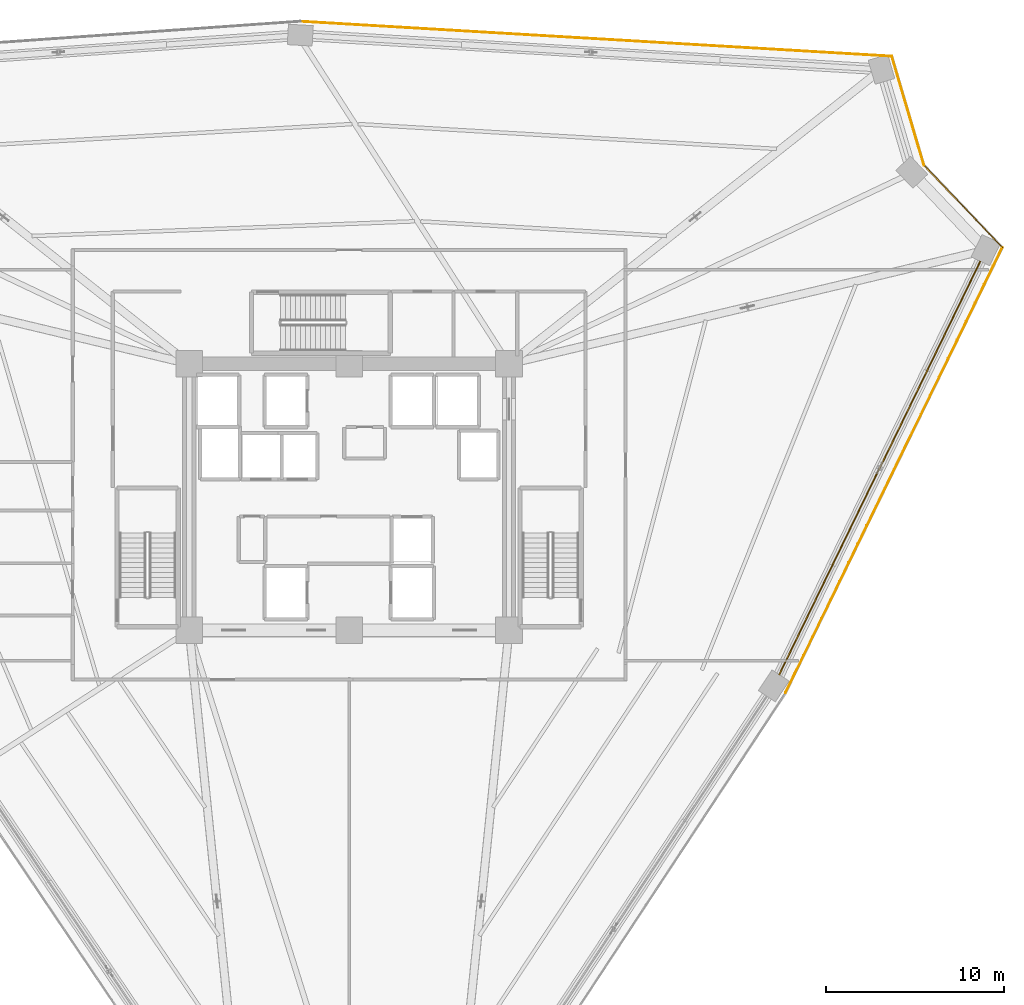
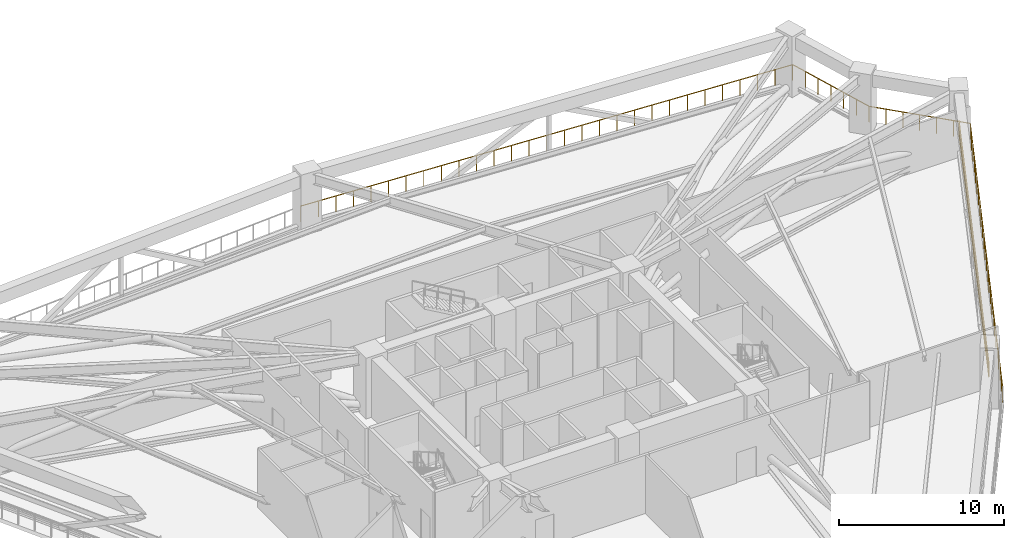
# One storey, part 23 of 23: 4 railings, 2 shading devices.
"""IFC4 building model written with IfcOpenShell, lengths in metres."""

from ifc_helpers import new_model, si_unit, direction, frame, origin, origin_2d, place, context, subcontext, project, spatial, rectangle, extrude, source, transform, mapped, material, material_profile, profile_set, type_object, element, save


model = new_model("IFC4")

# Units and contexts
model_context = context("Model", 3, precision=1e-05, world=origin(), true_north=direction((0.0, 1.0)))
body_context = subcontext(model_context, "Body", "Model", "MODEL_VIEW")
ifc_project = project(units=[si_unit("LENGTHUNIT", "METRE"), si_unit("AREAUNIT", "SQUARE_METRE"), si_unit("VOLUMEUNIT", "CUBIC_METRE"), si_unit("PLANEANGLEUNIT", "RADIAN"), si_unit("MASSUNIT", "GRAM", prefix="KILO")], contexts=[model_context])

# Site, building, storey
site_placement = place(None, origin())
site = spatial("IfcSite", under=ifc_project, at=site_placement, CompositionType="ELEMENT")
building_placement = place(site_placement, origin())
building = spatial("IfcBuilding", under=site, at=building_placement, Name="Liaohun Quay Tower", CompositionType="ELEMENT")
storey_placement = place(building_placement, frame((0.0, 0.0, 139.5)))
storey = spatial("IfcBuildingStorey", under=building, at=storey_placement, Name="L36", CompositionType="ELEMENT", Elevation=139.5)

# Railings
ifc_material_1 = material(Name="Galvanised and powder-coated steel", Category="steel")
railing_type = type_object("IfcRailingType", Name="RLG-GUARD-EXT", PredefinedType="GUARDRAIL", material=ifc_material_1)
railing_1_placement = place(storey_placement, frame((57.2451171875, 80.77587890625, 0.0)))
element("IfcRailing", 1, at=railing_1_placement, inside=storey, type_object=railing_type, Name="L36 Open Refuge Band Perimeter Guardrail 06", PredefinedType="GUARDRAIL", context=body_context, shape_type="SweptSolid", body=[
    extrude(rectangle(XDim=0.048095703125, YDim=0.048095703125, at=origin_2d()), frame((0.0, 0.0, 1.17578125), z_axis=(0.998263757178, -0.058902216471, 0.0), x_axis=(0.058902216471, 0.998263757178, 0.0)), (0.0, 0.0, 1.0), 33.357666015625),
    extrude(rectangle(XDim=0.0419921875, YDim=0.0419921875, at=origin_2d()), origin(), (0.0, 0.0, 1.0), 1.15185546875),
    extrude(rectangle(XDim=0.0419921875, YDim=0.0419921875, at=origin_2d()), frame((1.189208984375, -0.070068359375, 0.0)), (0.0, 0.0, 1.0), 1.15185546875),
    extrude(rectangle(XDim=0.0419921875, YDim=0.0419921875, at=origin_2d()), frame((2.378662109375, -0.140380859375, 0.0)), (0.0, 0.0, 1.0), 1.15185546875),
    extrude(rectangle(XDim=0.0419921875, YDim=0.0419921875, at=origin_2d()), frame((3.56787109375, -0.21044921875, 0.0)), (0.0, 0.0, 1.0), 1.15185546875),
    extrude(rectangle(XDim=0.0419921875, YDim=0.0419921875, at=origin_2d()), frame((4.757080078125, -0.28076171875, 0.0)), (0.0, 0.0, 1.0), 1.15185546875),
    extrude(rectangle(XDim=0.0419921875, YDim=0.0419921875, at=origin_2d()), frame((5.9462890625, -0.350830078125, 0.0)), (0.0, 0.0, 1.0), 1.15185546875),
    extrude(rectangle(XDim=0.0419921875, YDim=0.0419921875, at=origin_2d()), frame((7.1357421875, -0.421142578125, 0.0)), (0.0, 0.0, 1.0), 1.15185546875),
    extrude(rectangle(XDim=0.0419921875, YDim=0.0419921875, at=origin_2d()), frame((8.324951171875, -0.4912109375, 0.0)), (0.0, 0.0, 1.0), 1.15185546875),
    extrude(rectangle(XDim=0.0419921875, YDim=0.0419921875, at=origin_2d()), frame((9.51416015625, -0.561279296875, 0.0)), (0.0, 0.0, 1.0), 1.15185546875),
    extrude(rectangle(XDim=0.0419921875, YDim=0.0419921875, at=origin_2d()), frame((10.70361328125, -0.631591796875, 0.0)), (0.0, 0.0, 1.0), 1.15185546875),
    extrude(rectangle(XDim=0.0419921875, YDim=0.0419921875, at=origin_2d()), frame((11.892822265625, -0.70166015625, 0.0)), (0.0, 0.0, 1.0), 1.15185546875),
    extrude(rectangle(XDim=0.0419921875, YDim=0.0419921875, at=origin_2d()), frame((13.08203125, -0.77197265625, 0.0)), (0.0, 0.0, 1.0), 1.15185546875),
    extrude(rectangle(XDim=0.0419921875, YDim=0.0419921875, at=origin_2d()), frame((14.271240234375, -0.842041015625, 0.0)), (0.0, 0.0, 1.0), 1.15185546875),
    extrude(rectangle(XDim=0.0419921875, YDim=0.0419921875, at=origin_2d()), frame((15.460693359375, -0.912353515625, 0.0)), (0.0, 0.0, 1.0), 1.15185546875),
    extrude(rectangle(XDim=0.0419921875, YDim=0.0419921875, at=origin_2d()), frame((16.64990234375, -0.982421875, 0.0)), (0.0, 0.0, 1.0), 1.15185546875),
    extrude(rectangle(XDim=0.0419921875, YDim=0.0419921875, at=origin_2d()), frame((17.839111328125, -1.052490234375, 0.0)), (0.0, 0.0, 1.0), 1.15185546875),
    extrude(rectangle(XDim=0.0419921875, YDim=0.0419921875, at=origin_2d()), frame((19.028564453125, -1.122802734375, 0.0)), (0.0, 0.0, 1.0), 1.15185546875),
    extrude(rectangle(XDim=0.0419921875, YDim=0.0419921875, at=origin_2d()), frame((20.2177734375, -1.19287109375, 0.0)), (0.0, 0.0, 1.0), 1.15185546875),
    extrude(rectangle(XDim=0.0419921875, YDim=0.0419921875, at=origin_2d()), frame((21.406982421875, -1.26318359375, 0.0)), (0.0, 0.0, 1.0), 1.15185546875),
    extrude(rectangle(XDim=0.0419921875, YDim=0.0419921875, at=origin_2d()), frame((22.59619140625, -1.333251953125, 0.0)), (0.0, 0.0, 1.0), 1.15185546875),
    extrude(rectangle(XDim=0.0419921875, YDim=0.0419921875, at=origin_2d()), frame((23.78564453125, -1.403564453125, 0.0)), (0.0, 0.0, 1.0), 1.15185546875),
    extrude(rectangle(XDim=0.0419921875, YDim=0.0419921875, at=origin_2d()), frame((24.974853515625, -1.4736328125, 0.0)), (0.0, 0.0, 1.0), 1.15185546875),
    extrude(rectangle(XDim=0.0419921875, YDim=0.0419921875, at=origin_2d()), frame((26.1640625, -1.543701171875, 0.0)), (0.0, 0.0, 1.0), 1.15185546875),
    extrude(rectangle(XDim=0.0419921875, YDim=0.0419921875, at=origin_2d()), frame((27.353515625, -1.614013671875, 0.0)), (0.0, 0.0, 1.0), 1.15185546875),
    extrude(rectangle(XDim=0.0419921875, YDim=0.0419921875, at=origin_2d()), frame((28.542724609375, -1.68408203125, 0.0)), (0.0, 0.0, 1.0), 1.15185546875),
    extrude(rectangle(XDim=0.0419921875, YDim=0.0419921875, at=origin_2d()), frame((29.73193359375, -1.75439453125, 0.0)), (0.0, 0.0, 1.0), 1.15185546875),
    extrude(rectangle(XDim=0.0419921875, YDim=0.0419921875, at=origin_2d()), frame((30.921142578125, -1.824462890625, 0.0)), (0.0, 0.0, 1.0), 1.15185546875),
    extrude(rectangle(XDim=0.0419921875, YDim=0.0419921875, at=origin_2d()), frame((32.110595703125, -1.894775390625, 0.0)), (0.0, 0.0, 1.0), 1.15185546875),
    extrude(rectangle(XDim=0.0419921875, YDim=0.0419921875, at=origin_2d()), frame((33.2998046875, -1.96484375, 0.0)), (0.0, 0.0, 1.0), 1.15185546875),
])
railing_2_placement = place(storey_placement, frame((90.544921875, 78.81103515625, 0.0)))
element("IfcRailing", 2, at=railing_2_placement, inside=storey, type_object=railing_type, Name="L36 Open Refuge Band Perimeter Guardrail 07", PredefinedType="GUARDRAIL", context=body_context, shape_type="SweptSolid", body=[
    extrude(rectangle(XDim=0.048095703125, YDim=0.048095703125, at=origin_2d()), frame((0.0, 0.0, 1.17578125), z_axis=(0.282821659742, -0.959172512523, 0.0), x_axis=(0.959172512523, 0.282821659742, 0.0)), (0.0, 0.0, 1.0), 6.39306640625),
    extrude(rectangle(XDim=0.0419921875, YDim=0.0419921875, at=origin_2d()), origin(), (0.0, 0.0, 1.0), 1.15185546875),
    extrude(rectangle(XDim=0.0419921875, YDim=0.0419921875, at=origin_2d()), frame((0.30126953125, -1.02197265625, 0.0)), (0.0, 0.0, 1.0), 1.15185546875),
    extrude(rectangle(XDim=0.0419921875, YDim=0.0419921875, at=origin_2d()), frame((0.602783203125, -2.0439453125, 0.0)), (0.0, 0.0, 1.0), 1.15185546875),
    extrude(rectangle(XDim=0.0419921875, YDim=0.0419921875, at=origin_2d()), frame((0.904052734375, -3.06591796875, 0.0)), (0.0, 0.0, 1.0), 1.15185546875),
    extrude(rectangle(XDim=0.0419921875, YDim=0.0419921875, at=origin_2d()), frame((1.205322265625, -4.088134765625, 0.0)), (0.0, 0.0, 1.0), 1.15185546875),
    extrude(rectangle(XDim=0.0419921875, YDim=0.0419921875, at=origin_2d()), frame((1.5068359375, -5.110107421875, 0.0)), (0.0, 0.0, 1.0), 1.15185546875),
    extrude(rectangle(XDim=0.0419921875, YDim=0.0419921875, at=origin_2d()), frame((1.80810546875, -6.132080078125, 0.0)), (0.0, 0.0, 1.0), 1.15185546875),
])
railing_3_placement = place(storey_placement, frame((92.35302734375, 72.678955078125, 0.0)))
element("IfcRailing", 3, at=railing_3_placement, inside=storey, type_object=railing_type, Name="L36 Open Refuge Band Perimeter Guardrail 08", PredefinedType="GUARDRAIL", context=body_context, shape_type="SweptSolid", body=[
    extrude(rectangle(XDim=0.048095703125, YDim=0.048095703125, at=origin_2d()), frame((0.0, 0.0, 1.17578125), z_axis=(0.689383397678, -0.724396666893, 0.0), x_axis=(0.724396666893, 0.689383397678, 0.0)), (0.0, 0.0, 1.0), 6.39404296875),
    extrude(rectangle(XDim=0.0419921875, YDim=0.0419921875, at=origin_2d()), origin(), (0.0, 0.0, 1.0), 1.15185546875),
    extrude(rectangle(XDim=0.0419921875, YDim=0.0419921875, at=origin_2d()), frame((0.734619140625, -0.77197265625, 0.0)), (0.0, 0.0, 1.0), 1.15185546875),
    extrude(rectangle(XDim=0.0419921875, YDim=0.0419921875, at=origin_2d()), frame((1.46923828125, -1.5439453125, 0.0)), (0.0, 0.0, 1.0), 1.15185546875),
    extrude(rectangle(XDim=0.0419921875, YDim=0.0419921875, at=origin_2d()), frame((2.2041015625, -2.31591796875, 0.0)), (0.0, 0.0, 1.0), 1.15185546875),
    extrude(rectangle(XDim=0.0419921875, YDim=0.0419921875, at=origin_2d()), frame((2.938720703125, -3.087890625, 0.0)), (0.0, 0.0, 1.0), 1.15185546875),
    extrude(rectangle(XDim=0.0419921875, YDim=0.0419921875, at=origin_2d()), frame((3.67333984375, -3.85986328125, 0.0)), (0.0, 0.0, 1.0), 1.15185546875),
    extrude(rectangle(XDim=0.0419921875, YDim=0.0419921875, at=origin_2d()), frame((4.407958984375, -4.6318359375, 0.0)), (0.0, 0.0, 1.0), 1.15185546875),
])
railing_4_placement = place(storey_placement, frame((96.760986328125, 68.047119140625, 0.0)))
element("IfcRailing", 4, at=railing_4_placement, inside=storey, type_object=railing_type, Name="L36 Open Refuge Band Perimeter Guardrail 09", PredefinedType="GUARDRAIL", context=body_context, shape_type="SweptSolid", body=[
    extrude(rectangle(XDim=0.048095703125, YDim=0.048095703125, at=origin_2d()), frame((0.0, 0.0, 1.17578125), z_axis=(-0.437756221152, -0.899093705263, 0.0), x_axis=(0.899093705263, -0.437756221152, 0.0)), (0.0, 0.0, 1.0), 27.8603515625),
    extrude(rectangle(XDim=0.0419921875, YDim=0.0419921875, at=origin_2d()), origin(), (0.0, 0.0, 1.0), 1.15185546875),
    extrude(rectangle(XDim=0.0419921875, YDim=0.0419921875, at=origin_2d()), frame((-0.508056640625, -1.043701171875, 0.0)), (0.0, 0.0, 1.0), 1.15185546875),
    extrude(rectangle(XDim=0.0419921875, YDim=0.0419921875, at=origin_2d()), frame((-1.016357421875, -2.08740234375, 0.0)), (0.0, 0.0, 1.0), 1.15185546875),
    extrude(rectangle(XDim=0.0419921875, YDim=0.0419921875, at=origin_2d()), frame((-1.5244140625, -3.131103515625, 0.0)), (0.0, 0.0, 1.0), 1.15185546875),
    extrude(rectangle(XDim=0.0419921875, YDim=0.0419921875, at=origin_2d()), frame((-2.03271484375, -4.1748046875, 0.0)), (0.0, 0.0, 1.0), 1.15185546875),
    extrude(rectangle(XDim=0.0419921875, YDim=0.0419921875, at=origin_2d()), frame((-2.540771484375, -5.218505859375, 0.0)), (0.0, 0.0, 1.0), 1.15185546875),
    extrude(rectangle(XDim=0.0419921875, YDim=0.0419921875, at=origin_2d()), frame((-3.049072265625, -6.26220703125, 0.0)), (0.0, 0.0, 1.0), 1.15185546875),
    extrude(rectangle(XDim=0.0419921875, YDim=0.0419921875, at=origin_2d()), frame((-3.55712890625, -7.305908203125, 0.0)), (0.0, 0.0, 1.0), 1.15185546875),
    extrude(rectangle(XDim=0.0419921875, YDim=0.0419921875, at=origin_2d()), frame((-4.0654296875, -8.349609375, 0.0)), (0.0, 0.0, 1.0), 1.15185546875),
    extrude(rectangle(XDim=0.0419921875, YDim=0.0419921875, at=origin_2d()), frame((-4.573486328125, -9.393310546875, 0.0)), (0.0, 0.0, 1.0), 1.15185546875),
    extrude(rectangle(XDim=0.0419921875, YDim=0.0419921875, at=origin_2d()), frame((-5.081787109375, -10.43701171875, 0.0)), (0.0, 0.0, 1.0), 1.15185546875),
    extrude(rectangle(XDim=0.0419921875, YDim=0.0419921875, at=origin_2d()), frame((-5.58984375, -11.480712890625, 0.0)), (0.0, 0.0, 1.0), 1.15185546875),
    extrude(rectangle(XDim=0.0419921875, YDim=0.0419921875, at=origin_2d()), frame((-6.09814453125, -12.5244140625, 0.0)), (0.0, 0.0, 1.0), 1.15185546875),
    extrude(rectangle(XDim=0.0419921875, YDim=0.0419921875, at=origin_2d()), frame((-6.606201171875, -13.568359375, 0.0)), (0.0, 0.0, 1.0), 1.15185546875),
    extrude(rectangle(XDim=0.0419921875, YDim=0.0419921875, at=origin_2d()), frame((-7.1142578125, -14.612060546875, 0.0)), (0.0, 0.0, 1.0), 1.15185546875),
    extrude(rectangle(XDim=0.0419921875, YDim=0.0419921875, at=origin_2d()), frame((-7.62255859375, -15.65576171875, 0.0)), (0.0, 0.0, 1.0), 1.15185546875),
    extrude(rectangle(XDim=0.0419921875, YDim=0.0419921875, at=origin_2d()), frame((-8.130615234375, -16.699462890625, 0.0)), (0.0, 0.0, 1.0), 1.15185546875),
    extrude(rectangle(XDim=0.0419921875, YDim=0.0419921875, at=origin_2d()), frame((-8.638916015625, -17.7431640625, 0.0)), (0.0, 0.0, 1.0), 1.15185546875),
    extrude(rectangle(XDim=0.0419921875, YDim=0.0419921875, at=origin_2d()), frame((-9.14697265625, -18.786865234375, 0.0)), (0.0, 0.0, 1.0), 1.15185546875),
    extrude(rectangle(XDim=0.0419921875, YDim=0.0419921875, at=origin_2d()), frame((-9.6552734375, -19.83056640625, 0.0)), (0.0, 0.0, 1.0), 1.15185546875),
    extrude(rectangle(XDim=0.0419921875, YDim=0.0419921875, at=origin_2d()), frame((-10.163330078125, -20.874267578125, 0.0)), (0.0, 0.0, 1.0), 1.15185546875),
    extrude(rectangle(XDim=0.0419921875, YDim=0.0419921875, at=origin_2d()), frame((-10.671630859375, -21.91796875, 0.0)), (0.0, 0.0, 1.0), 1.15185546875),
    extrude(rectangle(XDim=0.0419921875, YDim=0.0419921875, at=origin_2d()), frame((-11.1796875, -22.961669921875, 0.0)), (0.0, 0.0, 1.0), 1.15185546875),
    extrude(rectangle(XDim=0.0419921875, YDim=0.0419921875, at=origin_2d()), frame((-11.68798828125, -24.00537109375, 0.0)), (0.0, 0.0, 1.0), 1.15185546875),
    extrude(rectangle(XDim=0.0419921875, YDim=0.0419921875, at=origin_2d()), frame((-12.196044921875, -25.049072265625, 0.0)), (0.0, 0.0, 1.0), 1.15185546875),
])

# Shading devices
ifc_material_2 = material(Name="Fluorocarbon-coated aluminium", Category="aluminium")
ifc_material_profile = material_profile(ifc_material_2, rectangle(XDim=0.06494140625, YDim=0.320068359375, at=origin_2d()), Name="ALU-LVR-320x65")
ifc_profile_set = profile_set([ifc_material_profile], Name="Fluorocarbon-coated aluminium")
shading_device_type = type_object("IfcShadingDeviceType", Name="SHD-LVR-REF", PredefinedType="USERDEFINED", material=ifc_profile_set)
shared_shape = source(origin(), body_context, "Body", "SweptSolid", [
    extrude(rectangle(XDim=0.06494140625, YDim=0.320068359375, at=origin_2d()), origin(), (0.0, 0.0, 1.0), 25.8955078125),
])
for number, where, z_axis, x_axis, name in (
    (5, (95.531982421875, 67.282958984375, 1.550048828125), (-0.4377191358, -0.899111760658, 0.0), (0.899111760658, -0.4377191358, 0.0), "L36 Refuge Plant Acoustic Louvre Blade LV-1-05"),
    (6, (95.531982421875, 67.282958984375, 2.14990234375), (-0.4377191358, -0.899111760658, 0.0), (0.899111760658, -0.4377191358, 0.0), "L36 Refuge Plant Acoustic Louvre Blade LV-1-06"),
):
    element("IfcShadingDevice", number, at=place(storey_placement, frame(where, z_axis=z_axis, x_axis=x_axis)), inside=storey, type_object=shading_device_type, Name=name, ObjectType="LOUVRE", PredefinedType="USERDEFINED", context=body_context, shape_type="MappedRepresentation", body=[
        mapped(shared_shape, transform((0.0, 0.0, 0.0), x_axis=(1.0, 0.0, 0.0), y_axis=(0.0, 1.0, 0.0), z_axis=(0.0, 0.0, 1.0), scale=1.0)),
    ])

save(model, "model.ifc")
